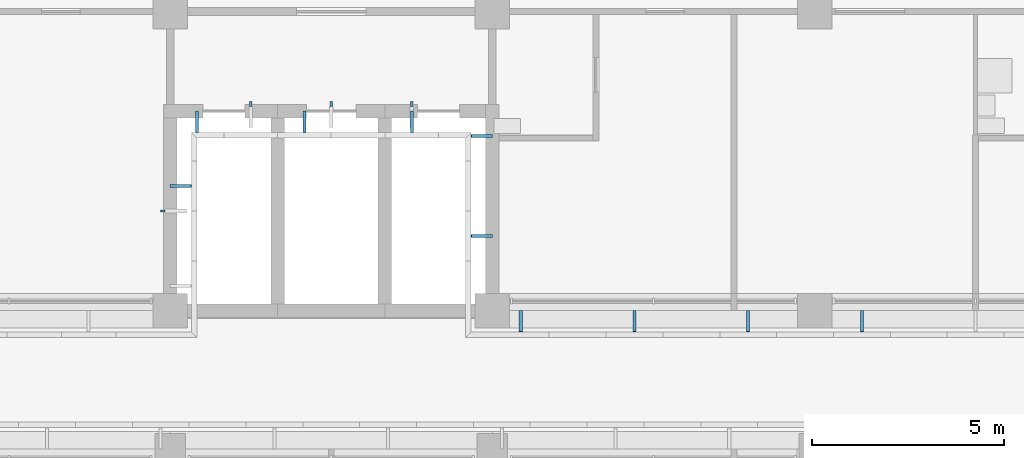
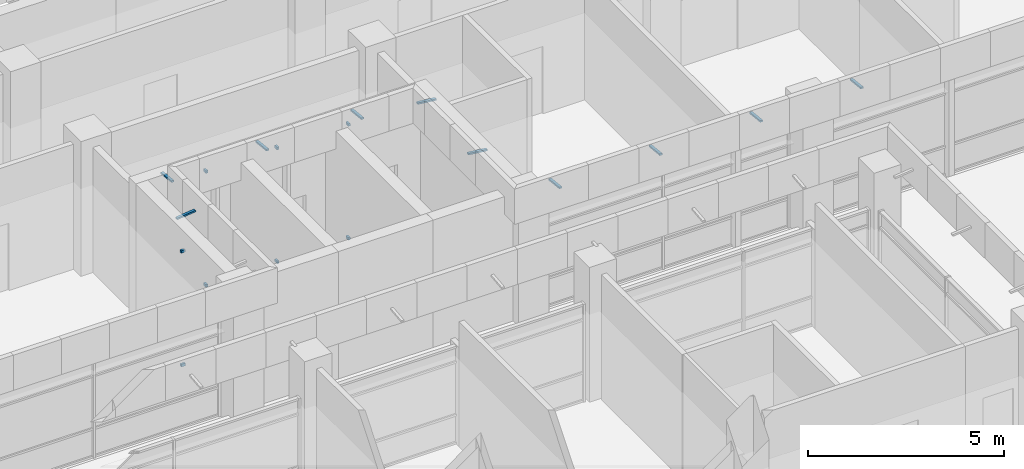
# One storey, part 107 of 137: 18 discrete accessories.
"""IFC4 building model written with IfcOpenShell, lengths in metres."""

from ifc_helpers import new_model, si_unit, direction, frame, origin, origin_2d, place, context, subcontext, project, spatial, rectangle, extrude, material, material_profile, profile_set, type_object, element, save


model = new_model("IFC4")

# Units and contexts
model_context = context("Model", 3, precision=1e-05, world=origin(), true_north=direction((0.0, 1.0)))
body_context = subcontext(model_context, "Body", "Model", "MODEL_VIEW")
ifc_project = project(units=[si_unit("LENGTHUNIT", "METRE"), si_unit("AREAUNIT", "SQUARE_METRE"), si_unit("VOLUMEUNIT", "CUBIC_METRE"), si_unit("PLANEANGLEUNIT", "RADIAN"), si_unit("MASSUNIT", "GRAM", prefix="KILO")], contexts=[model_context])

# Site, building, storey
site_placement = place(None, origin())
site = spatial("IfcSite", under=ifc_project, at=site_placement, CompositionType="ELEMENT")
building_placement = place(site_placement, origin())
building = spatial("IfcBuilding", under=site, at=building_placement, Name="Bougainvillea Quay General Hospital", CompositionType="ELEMENT")
storey_placement = place(building_placement, frame((0.0, 0.0, 16.800048828125)))
storey = spatial("IfcBuildingStorey", under=building, at=storey_placement, Name="L03", CompositionType="ELEMENT", Elevation=16.800048828125)

# Discrete accessories
ifc_material = material(Name="Stainless steel bracket, grade 316", Category="steel")
discrete_accessory_type_1 = type_object("IfcDiscreteAccessoryType", Name="Stainless steel fin arm 60x80", PredefinedType="BRACKET", material=ifc_material)
for number, where, z_axis, x_axis, name in (
    (1, (151.010009765625, 143.0, 0.0), (0.0, 0.0, 1.0), (1.0, 0.0, 0.0), "Fin arm V5A L03 01.1B"),
    (2, (151.010009765625, 143.0, 3.5498046875), (0.0, 0.0, 1.0), (1.0, 0.0, 0.0), "Fin arm V5A L03 01.1T"),
    (3, (157.5, 145.7900390625, 0.0), (0.0, 0.0, 1.0), (0.0, -1.0, 0.0), "Fin arm V5A L03 02.1B"),
    (4, (157.5, 145.7900390625, 3.5498046875), (0.0, 0.0, 1.0), (0.0, -1.0, 0.0), "Fin arm V5A L03 02.1T"),
    (5, (155.39990234375, 145.7900390625, 0.0), (0.0, 0.0, 1.0), (0.0, -1.0, 0.0), "Fin arm V5A L03 02.2B"),
    (6, (155.39990234375, 145.7900390625, 3.5498046875), (0.0, 0.0, 1.0), (0.0, -1.0, 0.0), "Fin arm V5A L03 02.2T"),
    (7, (153.300048828125, 145.7900390625, 0.0), (0.0, 0.0, 1.0), (0.0, -1.0, 0.0), "Fin arm V5A L03 02.3B"),
    (8, (153.300048828125, 145.7900390625, 3.5498046875), (0.0, 0.0, 1.0), (0.0, -1.0, 0.0), "Fin arm V5A L03 02.3T"),
):
    element("IfcDiscreteAccessory", number, at=place(storey_placement, frame(where, z_axis=z_axis, x_axis=x_axis)), inside=storey, type_object=discrete_accessory_type_1, Name=name, PredefinedType="BRACKET", context=body_context, shape_type="SweptSolid", body=[
        extrude(rectangle(XDim=0.1201171875, YDim=0.06005859375, at=origin_2d()), origin(), (0.0, 0.0, 1.0), 0.080078125),
    ])
ifc_material_profile = material_profile(ifc_material, rectangle(XDim=0.080078125, YDim=0.050048828125, at=origin_2d()))
ifc_profile_set = profile_set([ifc_material_profile], Name="Stainless steel bracket, grade 316")
discrete_accessory_type_2 = type_object("IfcDiscreteAccessoryType", Name="Stainless steel stand-off bracket 80x50", PredefinedType="BRACKET", material=ifc_profile_set)
for number, where, z_axis, x_axis, name in (
    (9, (151.199951171875, 143.64990234375, 4.139892578125), (0.994091793559, 0.0, 0.108542645901), (0.0, 1.0, 0.0), "Fascia bracket e0 11"),
    (10, (151.89990234375, 145.60009765625, 4.139892578125), (0.0, -0.994091793559, 0.108542645901), (1.0, 0.0, 0.0), "Fascia bracket e0 13"),
    (11, (154.699951171875, 145.60009765625, 4.139892578125), (0.0, -0.994091793559, 0.108542645901), (1.0, 0.0, 0.0), "Fascia bracket e0 15"),
    (12, (157.5, 145.60009765625, 4.139892578125), (0.0, -0.994091793559, 0.108542645901), (1.0, 0.0, 0.0), "Fascia bracket e0 17"),
    (13, (159.60009765625, 144.949951171875, 4.139892578125), (-0.994091793559, 0.0, 0.108542645901), (0.0, -1.0, 0.0), "Fascia bracket e0 19"),
    (14, (159.60009765625, 142.35009765625, 4.139892578125), (-0.994091793559, 0.0, 0.108542645901), (0.0, -1.0, 0.0), "Fascia bracket e0 21"),
):
    element("IfcDiscreteAccessory", number, at=place(storey_placement, frame(where, z_axis=z_axis, x_axis=x_axis)), inside=storey, type_object=discrete_accessory_type_2, Name=name, PredefinedType="BRACKET", context=body_context, shape_type="SweptSolid", body=[
        extrude(rectangle(XDim=0.080078125, YDim=0.050048828125, at=origin_2d()), origin(), (0.0, 0.0, 1.0), 0.55322265625),
    ])
for number, where, z_axis, x_axis, name in (
    (15, (160.341064453125, 140.39990234375, 4.139892578125), (0.0, -0.994086591779, 0.108590276011), (1.0, 0.0, 0.0), "Fascia bracket e0 23"),
    (16, (163.305908203125, 140.39990234375, 4.139892578125), (0.0, -0.994086591779, 0.108590276011), (1.0, 0.0, 0.0), "Fascia bracket e0 25"),
    (17, (166.2705078125, 140.39990234375, 4.139892578125), (0.0, -0.994086591779, 0.108590276011), (1.0, 0.0, 0.0), "Fascia bracket e0 27"),
    (18, (169.2353515625, 140.39990234375, 4.139892578125), (0.0, -0.994086591779, 0.108590276011), (1.0, 0.0, 0.0), "Fascia bracket e0 29"),
):
    element("IfcDiscreteAccessory", number, at=place(storey_placement, frame(where, z_axis=z_axis, x_axis=x_axis)), inside=storey, type_object=discrete_accessory_type_2, Name=name, PredefinedType="BRACKET", context=body_context, shape_type="SweptSolid", body=[
        extrude(rectangle(XDim=0.080078125, YDim=0.050048828125, at=origin_2d()), origin(), (0.0, 0.0, 1.0), 0.552978515625),
    ])

save(model, "model.ifc")
